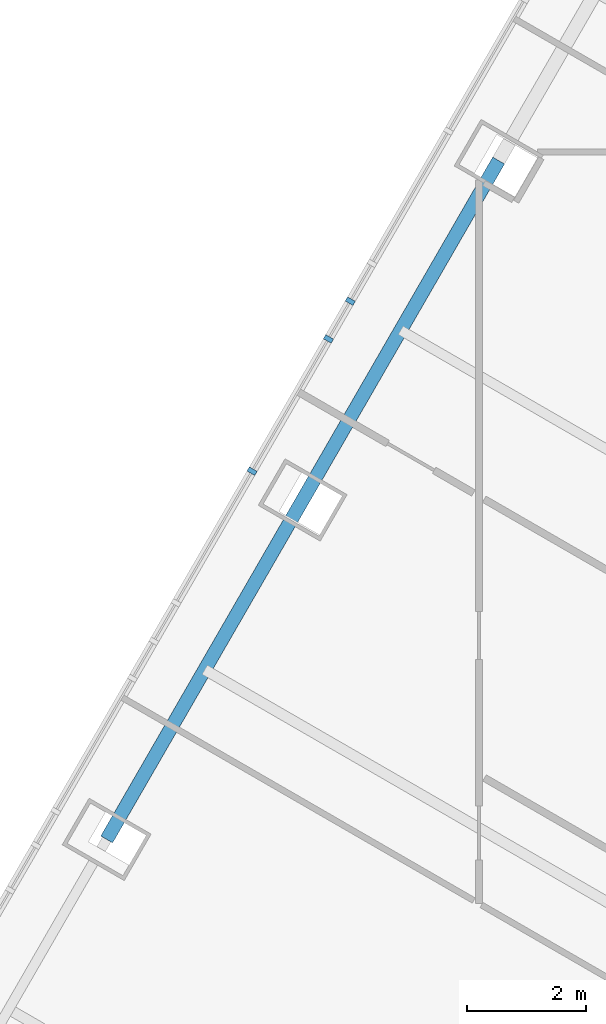
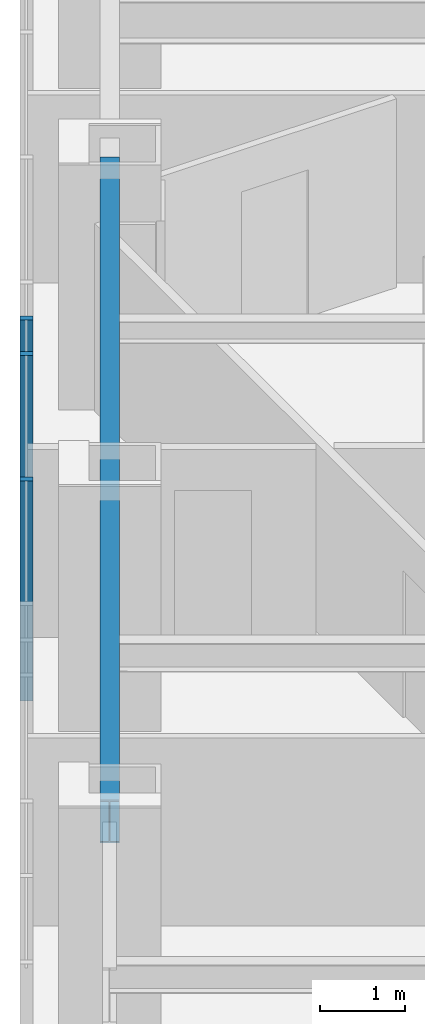
# One storey, part 5 of 20: 3 members, 1 beam, 1 element without a shape of its own.
"""IFC4 building model written with IfcOpenShell, lengths in metres."""

from ifc_helpers import new_model, si_unit, direction, frame, origin, origin_2d, place, context, subcontext, project, spatial, rectangle, i_section, extrude, material, layer, layer_set, material_profile, profile_set, type_object, element, aggregate, save


model = new_model("IFC4")

# Units and contexts
model_context = context("Model", 3, precision=1e-05, world=origin(), true_north=direction((0.0, 1.0)))
body_context = subcontext(model_context, "Body", "Model", "MODEL_VIEW")
ifc_project = project(units=[si_unit("LENGTHUNIT", "METRE"), si_unit("AREAUNIT", "SQUARE_METRE"), si_unit("VOLUMEUNIT", "CUBIC_METRE"), si_unit("PLANEANGLEUNIT", "RADIAN"), si_unit("MASSUNIT", "GRAM", prefix="KILO")], contexts=[model_context])

# Site, building, storey
site_placement = place(None, origin())
site = spatial("IfcSite", under=ifc_project, at=site_placement, CompositionType="ELEMENT")
building_placement = place(site_placement, origin())
building = spatial("IfcBuilding", under=site, at=building_placement, Name="Firuza Gate Tower and Library", CompositionType="ELEMENT")
storey_placement = place(building_placement, frame((0.0, 0.0, 277.60009765625)))
storey = spatial("IfcBuildingStorey", under=building, at=storey_placement, Name="L66", CompositionType="ELEMENT", Elevation=277.60009765625)

# Curtain wall, members
ifc_material_1 = material(Name="Aluminium 6063-T6", Category="aluminium")
ifc_layer = layer(ifc_material_1, 0.14990234375)
ifc_layer_set = layer_set([ifc_layer], Name="Unitised curtain wall, residences")
curtain_wall_type = type_object("IfcCurtainWallType", Name="Unitised curtain wall, residences", PredefinedType="NOTDEFINED", material=ifc_layer_set)
curtain_wall_placement = place(storey_placement, origin())
curtain_wall = element("IfcCurtainWall", 1, at=curtain_wall_placement, inside=storey, type_object=curtain_wall_type, Name="CW3 L66 W face", PredefinedType="NOTDEFINED")
ifc_material_2 = material(Name="Aluminium 6063-T6", Category="aluminium")
ifc_material_profile_1 = material_profile(ifc_material_2, rectangle(XDim=0.14990234375, YDim=0.080078125, at=origin_2d()))
ifc_profile_set_1 = profile_set([ifc_material_profile_1], Name="Aluminium 6063-T6")
member_type = type_object("IfcMemberType", Name="Curtain wall mullion 80x150", PredefinedType="MULLION", material=ifc_profile_set_1)
member_1_placement = place(storey_placement, frame((59.845703125, 83.749267578125, 0.14990234375), z_axis=(0.0, 0.0, 1.0), x_axis=(0.866025403784, -0.5, 0.0)))
member_1 = element("IfcMember", 2, at=member_1_placement, type_object=member_type, Name="Mullion", PredefinedType="MULLION", context=body_context, shape_type="SweptSolid", body=[
    extrude(rectangle(XDim=0.14990234375, YDim=0.080078125, at=origin_2d()), origin(), (0.0, 0.0, 1.0), 3.14990234375),
])
member_2_placement = place(storey_placement, frame((58.201171875, 80.901123046875, 0.14990234375), z_axis=(0.0, 0.0, 1.0), x_axis=(0.866025403784, -0.5, 0.0)))
member_2 = element("IfcMember", 3, at=member_2_placement, type_object=member_type, Name="Mullion", PredefinedType="MULLION", context=body_context, shape_type="SweptSolid", body=[
    extrude(rectangle(XDim=0.14990234375, YDim=0.080078125, at=origin_2d()), origin(), (0.0, 0.0, 1.0), 3.14990234375),
])
member_3_placement = place(storey_placement, frame((59.480712890625, 83.116943359375, 0.14990234375), z_axis=(0.0, 0.0, 1.0), x_axis=(0.866025403784, -0.5, 0.0)))
member_3 = element("IfcMember", 4, at=member_3_placement, type_object=member_type, Name="Mullion", PredefinedType="MULLION", context=body_context, shape_type="SweptSolid", body=[
    extrude(rectangle(XDim=0.14990234375, YDim=0.080078125, at=origin_2d()), origin(), (0.0, 0.0, 1.0), 3.14990234375),
])
aggregate(curtain_wall, [member_1, member_2, member_3])

# Beam
ifc_material_3 = material(Name="Steel S355", Category="steel")
ifc_material_profile_2 = material_profile(ifc_material_3, i_section(OverallWidth=0.22900390625, OverallDepth=0.612060546875, WebThickness=0.011962890625, FlangeThickness=0.01953125, at=origin_2d()))
ifc_profile_set_2 = profile_set([ifc_material_profile_2], Name="Steel S355")
beam_type = type_object("IfcBeamType", Name="W610x125 Edge beam", PredefinedType="SPANDREL", material=ifc_profile_set_2)
beam_placement = place(storey_placement, frame((62.33154296875, 86.104736328125, 2.993896484375), z_axis=(-0.500002498361, -0.86602396135, 0.0), x_axis=(0.86602396135, -0.500002498361, 0.0)))
element("IfcBeam", 5, at=beam_placement, inside=storey, type_object=beam_type, Name="Edge beam L66 e82", PredefinedType="SPANDREL", context=body_context, shape_type="SweptSolid", body=[
    extrude(i_section(OverallWidth=0.22900390625, OverallDepth=0.612060546875, WebThickness=0.011962890625, FlangeThickness=0.01953125, at=origin_2d()), origin(), (0.0, 0.0, 1.0), 13.130859375),
])

save(model, "model.ifc")
